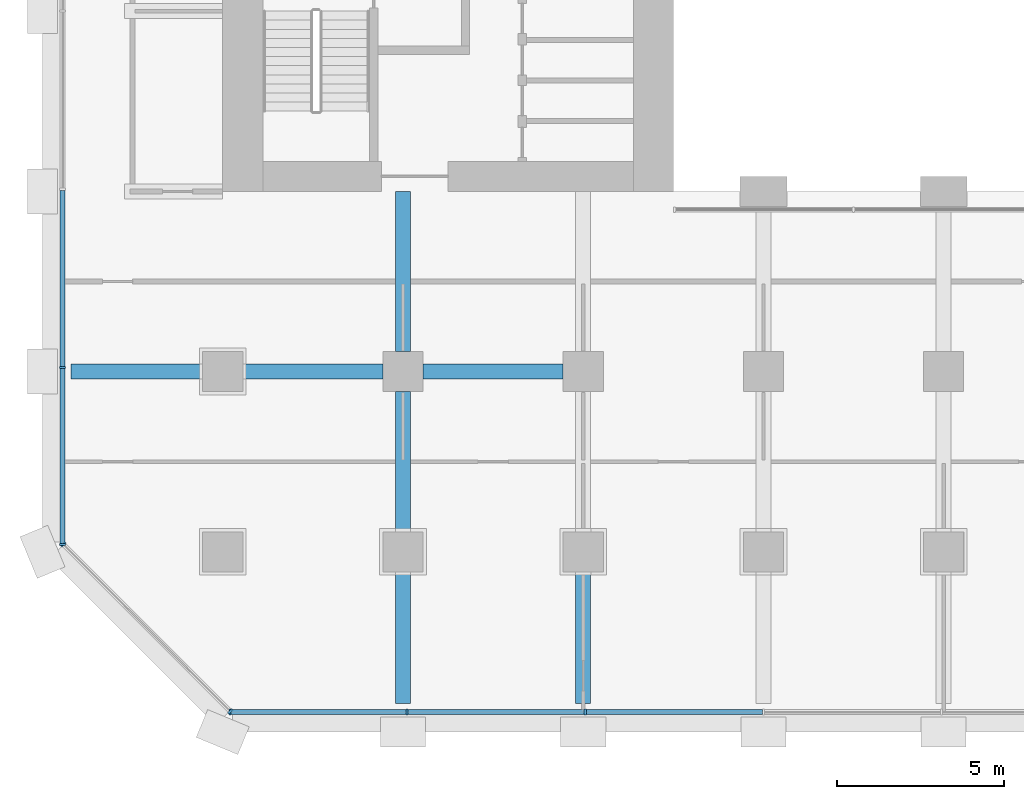
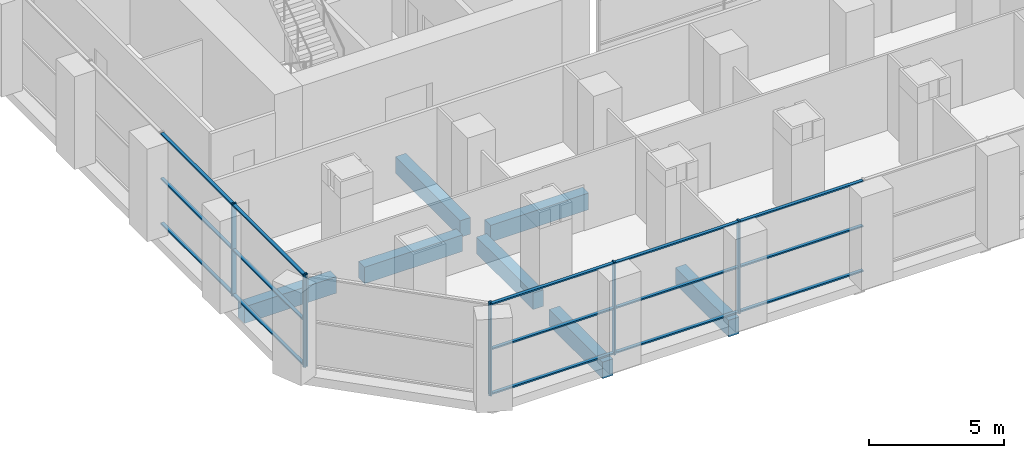
# One storey, part 2 of 23: 22 members, 7 beams, 3 elements without a shape of their own.
"""IFC4 building model written with IfcOpenShell, lengths in metres."""

from ifc_helpers import new_model, si_unit, direction, frame, origin, origin_2d, place, context, subcontext, project, spatial, rectangle, extrude, material, material_profile, profile_set, type_object, element, aggregate, save


model = new_model("IFC4")

# Units and contexts
model_context = context("Model", 3, precision=1e-05, world=origin(), true_north=direction((0.0, 1.0)))
body_context = subcontext(model_context, "Body", "Model", "MODEL_VIEW")
ifc_project = project(units=[si_unit("LENGTHUNIT", "METRE"), si_unit("AREAUNIT", "SQUARE_METRE"), si_unit("VOLUMEUNIT", "CUBIC_METRE"), si_unit("PLANEANGLEUNIT", "RADIAN"), si_unit("MASSUNIT", "GRAM", prefix="KILO")], contexts=[model_context])

# Site, building, storey
site_placement = place(None, origin())
site = spatial("IfcSite", under=ifc_project, at=site_placement, CompositionType="ELEMENT")
building_placement = place(site_placement, origin())
building = spatial("IfcBuilding", under=site, at=building_placement, Name="Tabaq Tower and Sports Hall", CompositionType="ELEMENT")
storey_placement = place(building_placement, frame((0.0, 0.0, 29.10009765625)))
storey = spatial("IfcBuildingStorey", under=building, at=storey_placement, Name="L05", CompositionType="ELEMENT", Elevation=29.10009765625)

# Curtain wall, members
ifc_material_1 = material(Name="Aluminium alloy 6063-T6 framed glazing", Category="aluminium")
curtain_wall_type = type_object("IfcCurtainWallType", Name="CW7 curtain wall", PredefinedType="USERDEFINED", material=ifc_material_1)
curtain_wall_1_placement = place(storey_placement, origin())
curtain_wall_1 = element("IfcCurtainWall", 1, at=curtain_wall_1_placement, inside=storey, type_object=curtain_wall_type, Name="Podium Wall L05 S", ObjectType="PODIUM WALL", PredefinedType="USERDEFINED")
ifc_material_2 = material(Name="Aluminium alloy 6063-T6", Category="aluminium")
ifc_material_profile_1 = material_profile(ifc_material_2, rectangle(XDim=0.179931640625, YDim=0.06494140625, at=origin_2d()), Name="MULLION 180x65")
ifc_profile_set_1 = profile_set([ifc_material_profile_1], Name="Aluminium alloy 6063-T6")
member_type_1 = type_object("IfcMemberType", Name="CW7 mullion 180x65", PredefinedType="MULLION", material=ifc_profile_set_1)
member_1_placement = place(storey_placement, frame((5.618896484375, 0.60009765625, 0.0), z_axis=(0.0, 0.0, 1.0), x_axis=(0.0, 1.0, 0.0)))
member_1 = element("IfcMember", 2, at=member_1_placement, type_object=member_type_1, Name="CW7 mullion 1", PredefinedType="MULLION", context=body_context, shape_type="SweptSolid", body=[
    extrude(rectangle(XDim=0.179931640625, YDim=0.06494140625, at=origin_2d()), origin(), (0.0, 0.0, 1.0), 4.199951171875),
])
member_2_placement = place(storey_placement, frame((10.92431640625, 0.60009765625, 0.0), z_axis=(0.0, 0.0, 1.0), x_axis=(0.0, 1.0, 0.0)))
member_2 = element("IfcMember", 3, at=member_2_placement, type_object=member_type_1, Name="CW7 mullion 2", PredefinedType="MULLION", context=body_context, shape_type="SweptSolid", body=[
    extrude(rectangle(XDim=0.179931640625, YDim=0.06494140625, at=origin_2d()), origin(), (0.0, 0.0, 1.0), 4.199951171875),
])
member_3_placement = place(storey_placement, frame((16.26220703125, 0.60009765625, 0.0), z_axis=(0.0, 0.0, 1.0), x_axis=(0.0, 1.0, 0.0)))
member_3 = element("IfcMember", 4, at=member_3_placement, type_object=member_type_1, Name="CW7 mullion 3", PredefinedType="MULLION", context=body_context, shape_type="SweptSolid", body=[
    extrude(rectangle(XDim=0.179931640625, YDim=0.06494140625, at=origin_2d()), origin(), (0.0, 0.0, 1.0), 4.199951171875),
])

curtain_wall_2_placement = place(storey_placement, origin())
curtain_wall_2 = element("IfcCurtainWall", 5, at=curtain_wall_2_placement, inside=storey, type_object=curtain_wall_type, Name="Podium Wall L05 W", ObjectType="PODIUM WALL", PredefinedType="USERDEFINED")
member_4_placement = place(storey_placement, frame((0.60009765625, 10.92431640625, 0.0), z_axis=(0.0, 0.0, 1.0), x_axis=(1.0, 0.0, 0.0)))
member_4 = element("IfcMember", 6, at=member_4_placement, type_object=member_type_1, Name="CW7 mullion 6", PredefinedType="MULLION", context=body_context, shape_type="SweptSolid", body=[
    extrude(rectangle(XDim=0.179931640625, YDim=0.06494140625, at=origin_2d()), origin(), (0.0, 0.0, 1.0), 4.199951171875),
])
member_5_placement = place(storey_placement, frame((0.60009765625, 5.618896484375, 0.0), z_axis=(0.0, 0.0, 1.0), x_axis=(1.0, 0.0, 0.0)))
member_5 = element("IfcMember", 7, at=member_5_placement, type_object=member_type_1, Name="CW7 mullion 7", PredefinedType="MULLION", context=body_context, shape_type="SweptSolid", body=[
    extrude(rectangle(XDim=0.179931640625, YDim=0.06494140625, at=origin_2d()), origin(), (0.0, 0.0, 1.0), 4.199951171875),
])

curtain_wall_3_placement = place(storey_placement, origin())
curtain_wall_3 = element("IfcCurtainWall", 8, at=curtain_wall_3_placement, inside=storey, type_object=curtain_wall_type, Name="Podium Wall L05 SW", ObjectType="PODIUM WALL", PredefinedType="USERDEFINED")
member_6_placement = place(storey_placement, frame((0.623046875, 5.62548828125, 0.0), z_axis=(0.0, 0.0, 1.0), x_axis=(0.707106781187, 0.707106781187, 0.0)))
member_6 = element("IfcMember", 9, at=member_6_placement, type_object=member_type_1, Name="CW7 mullion 1", PredefinedType="MULLION", context=body_context, shape_type="SweptSolid", body=[
    extrude(rectangle(XDim=0.179931640625, YDim=0.06494140625, at=origin_2d()), origin(), (0.0, 0.0, 1.0), 4.199951171875),
])
member_7_placement = place(storey_placement, frame((5.62548828125, 0.623046875, 0.0), z_axis=(0.0, 0.0, 1.0), x_axis=(0.707106781187, 0.707106781187, 0.0)))
member_7 = element("IfcMember", 10, at=member_7_placement, type_object=member_type_1, Name="CW7 mullion 2", PredefinedType="MULLION", context=body_context, shape_type="SweptSolid", body=[
    extrude(rectangle(XDim=0.179931640625, YDim=0.06494140625, at=origin_2d()), origin(), (0.0, 0.0, 1.0), 4.199951171875),
])
aggregate(curtain_wall_3, [member_6, member_7])

# Member
ifc_material_3 = material(Name="Aluminium alloy 6063-T6", Category="aluminium")
ifc_material_profile_2 = material_profile(ifc_material_3, rectangle(XDim=0.139892578125, YDim=0.06494140625, at=origin_2d()), Name="TRANSOM 140x65")
ifc_profile_set_2 = profile_set([ifc_material_profile_2], Name="Aluminium alloy 6063-T6")
member_type_2 = type_object("IfcMemberType", Name="CW7 transom 140x65", PredefinedType="USERDEFINED", material=ifc_profile_set_2)
member_8_placement = place(storey_placement, frame((5.6513671875, 0.60009765625, 0.06982421875), z_axis=(1.0, 0.0, 0.0), x_axis=(0.0, 1.0, 0.0)))
member_8 = element("IfcMember", 11, at=member_8_placement, type_object=member_type_2, Name="CW7 transom 1.1", ObjectType="TRANSOM", PredefinedType="USERDEFINED", context=body_context, shape_type="SweptSolid", body=[
    extrude(rectangle(XDim=0.139892578125, YDim=0.06494140625, at=origin_2d()), origin(), (0.0, 0.0, 1.0), 5.240478515625),
])

member_9_placement = place(storey_placement, frame((5.6513671875, 0.60009765625, 2.099853515625), z_axis=(1.0, 0.0, 0.0), x_axis=(0.0, 1.0, 0.0)))
member_9 = element("IfcMember", 12, at=member_9_placement, type_object=member_type_2, Name="CW7 transom 1.2", ObjectType="TRANSOM", PredefinedType="USERDEFINED", context=body_context, shape_type="SweptSolid", body=[
    extrude(rectangle(XDim=0.139892578125, YDim=0.06494140625, at=origin_2d()), origin(), (0.0, 0.0, 1.0), 5.240478515625),
])

member_10_placement = place(storey_placement, frame((5.6513671875, 0.60009765625, 4.1298828125), z_axis=(1.0, 0.0, 0.0), x_axis=(0.0, 1.0, 0.0)))
member_10 = element("IfcMember", 13, at=member_10_placement, type_object=member_type_2, Name="CW7 transom 1.3", ObjectType="TRANSOM", PredefinedType="USERDEFINED", context=body_context, shape_type="SweptSolid", body=[
    extrude(rectangle(XDim=0.139892578125, YDim=0.06494140625, at=origin_2d()), origin(), (0.0, 0.0, 1.0), 5.240478515625),
])

member_11_placement = place(storey_placement, frame((10.956787109375, 0.60009765625, 0.06982421875), z_axis=(1.0, 0.0, 0.0), x_axis=(0.0, 1.0, 0.0)))
member_11 = element("IfcMember", 14, at=member_11_placement, type_object=member_type_2, Name="CW7 transom 2.1", ObjectType="TRANSOM", PredefinedType="USERDEFINED", context=body_context, shape_type="SweptSolid", body=[
    extrude(rectangle(XDim=0.139892578125, YDim=0.06494140625, at=origin_2d()), origin(), (0.0, 0.0, 1.0), 5.27294921875),
])

member_12_placement = place(storey_placement, frame((10.956787109375, 0.60009765625, 2.099853515625), z_axis=(1.0, 0.0, 0.0), x_axis=(0.0, 1.0, 0.0)))
member_12 = element("IfcMember", 15, at=member_12_placement, type_object=member_type_2, Name="CW7 transom 2.2", ObjectType="TRANSOM", PredefinedType="USERDEFINED", context=body_context, shape_type="SweptSolid", body=[
    extrude(rectangle(XDim=0.139892578125, YDim=0.06494140625, at=origin_2d()), origin(), (0.0, 0.0, 1.0), 5.27294921875),
])

member_13_placement = place(storey_placement, frame((10.956787109375, 0.60009765625, 4.1298828125), z_axis=(1.0, 0.0, 0.0), x_axis=(0.0, 1.0, 0.0)))
member_13 = element("IfcMember", 16, at=member_13_placement, type_object=member_type_2, Name="CW7 transom 2.3", ObjectType="TRANSOM", PredefinedType="USERDEFINED", context=body_context, shape_type="SweptSolid", body=[
    extrude(rectangle(XDim=0.139892578125, YDim=0.06494140625, at=origin_2d()), origin(), (0.0, 0.0, 1.0), 5.27294921875),
])

member_14_placement = place(storey_placement, frame((16.294677734375, 0.60009765625, 0.06982421875), z_axis=(1.0, 0.0, 0.0), x_axis=(0.0, 1.0, 0.0)))
member_14 = element("IfcMember", 17, at=member_14_placement, type_object=member_type_2, Name="CW7 transom 3.1", ObjectType="TRANSOM", PredefinedType="USERDEFINED", context=body_context, shape_type="SweptSolid", body=[
    extrude(rectangle(XDim=0.139892578125, YDim=0.06494140625, at=origin_2d()), origin(), (0.0, 0.0, 1.0), 5.272705078125),
])

member_15_placement = place(storey_placement, frame((16.294677734375, 0.60009765625, 2.099853515625), z_axis=(1.0, 0.0, 0.0), x_axis=(0.0, 1.0, 0.0)))
member_15 = element("IfcMember", 18, at=member_15_placement, type_object=member_type_2, Name="CW7 transom 3.2", ObjectType="TRANSOM", PredefinedType="USERDEFINED", context=body_context, shape_type="SweptSolid", body=[
    extrude(rectangle(XDim=0.139892578125, YDim=0.06494140625, at=origin_2d()), origin(), (0.0, 0.0, 1.0), 5.272705078125),
])

member_16_placement = place(storey_placement, frame((16.294677734375, 0.60009765625, 4.1298828125), z_axis=(1.0, 0.0, 0.0), x_axis=(0.0, 1.0, 0.0)))
member_16 = element("IfcMember", 19, at=member_16_placement, type_object=member_type_2, Name="CW7 transom 3.3", ObjectType="TRANSOM", PredefinedType="USERDEFINED", context=body_context, shape_type="SweptSolid", body=[
    extrude(rectangle(XDim=0.139892578125, YDim=0.06494140625, at=origin_2d()), origin(), (0.0, 0.0, 1.0), 5.272705078125),
])

aggregate(curtain_wall_1, [member_1, member_2, member_3, member_8, member_9, member_10, member_11, member_12, member_13, member_14, member_15, member_16])

member_17_placement = place(storey_placement, frame((0.60009765625, 16.229736328125, 0.06982421875), z_axis=(0.0, -1.0, 0.0), x_axis=(1.0, 0.0, 0.0)))
member_17 = element("IfcMember", 20, at=member_17_placement, type_object=member_type_2, Name="CW7 transom 5.1", ObjectType="TRANSOM", PredefinedType="USERDEFINED", context=body_context, shape_type="SweptSolid", body=[
    extrude(rectangle(XDim=0.139892578125, YDim=0.06494140625, at=origin_2d()), origin(), (0.0, 0.0, 1.0), 5.27294921875),
])

member_18_placement = place(storey_placement, frame((0.60009765625, 16.229736328125, 2.099853515625), z_axis=(0.0, -1.0, 0.0), x_axis=(1.0, 0.0, 0.0)))
member_18 = element("IfcMember", 21, at=member_18_placement, type_object=member_type_2, Name="CW7 transom 5.2", ObjectType="TRANSOM", PredefinedType="USERDEFINED", context=body_context, shape_type="SweptSolid", body=[
    extrude(rectangle(XDim=0.139892578125, YDim=0.06494140625, at=origin_2d()), origin(), (0.0, 0.0, 1.0), 5.27294921875),
])

member_19_placement = place(storey_placement, frame((0.60009765625, 16.229736328125, 4.1298828125), z_axis=(0.0, -1.0, 0.0), x_axis=(1.0, 0.0, 0.0)))
member_19 = element("IfcMember", 22, at=member_19_placement, type_object=member_type_2, Name="CW7 transom 5.3", ObjectType="TRANSOM", PredefinedType="USERDEFINED", context=body_context, shape_type="SweptSolid", body=[
    extrude(rectangle(XDim=0.139892578125, YDim=0.06494140625, at=origin_2d()), origin(), (0.0, 0.0, 1.0), 5.27294921875),
])

member_20_placement = place(storey_placement, frame((0.60009765625, 10.891845703125, 0.06982421875), z_axis=(0.0, -1.0, 0.0), x_axis=(1.0, 0.0, 0.0)))
member_20 = element("IfcMember", 23, at=member_20_placement, type_object=member_type_2, Name="CW7 transom 6.1", ObjectType="TRANSOM", PredefinedType="USERDEFINED", context=body_context, shape_type="SweptSolid", body=[
    extrude(rectangle(XDim=0.139892578125, YDim=0.06494140625, at=origin_2d()), origin(), (0.0, 0.0, 1.0), 5.240478515625),
])

member_21_placement = place(storey_placement, frame((0.60009765625, 10.891845703125, 2.099853515625), z_axis=(0.0, -1.0, 0.0), x_axis=(1.0, 0.0, 0.0)))
member_21 = element("IfcMember", 24, at=member_21_placement, type_object=member_type_2, Name="CW7 transom 6.2", ObjectType="TRANSOM", PredefinedType="USERDEFINED", context=body_context, shape_type="SweptSolid", body=[
    extrude(rectangle(XDim=0.139892578125, YDim=0.06494140625, at=origin_2d()), origin(), (0.0, 0.0, 1.0), 5.240478515625),
])

member_22_placement = place(storey_placement, frame((0.60009765625, 10.891845703125, 4.1298828125), z_axis=(0.0, -1.0, 0.0), x_axis=(1.0, 0.0, 0.0)))
member_22 = element("IfcMember", 25, at=member_22_placement, type_object=member_type_2, Name="CW7 transom 6.3", ObjectType="TRANSOM", PredefinedType="USERDEFINED", context=body_context, shape_type="SweptSolid", body=[
    extrude(rectangle(XDim=0.139892578125, YDim=0.06494140625, at=origin_2d()), origin(), (0.0, 0.0, 1.0), 5.240478515625),
])

aggregate(curtain_wall_2, [member_4, member_5, member_17, member_18, member_19, member_20, member_21, member_22])

# Beams
ifc_material_4 = material(Name="Concrete C40/50", Category="concrete")
ifc_material_profile_3 = material_profile(ifc_material_4, rectangle(XDim=0.449951171875, YDim=0.75, at=origin_2d()), Name="CB 450x750")
ifc_profile_set_3 = profile_set([ifc_material_profile_3], Name="Concrete C40/50")
beam_type = type_object("IfcBeamType", Name="PT CANTILEVER BEAM CB 450x750 C40/50", PredefinedType="BEAM", material=ifc_profile_set_3)
beam_1_placement = place(storey_placement, frame((0.85009765625, 10.800048828125, -0.775146484375), z_axis=(1.0, 0.0, 0.0), x_axis=(0.0, 1.0, 0.0)))
element("IfcBeam", 26, at=beam_1_placement, inside=storey, type_object=beam_type, Name="Cantilever Beam L05 W2 span 1", PredefinedType="BEAM", context=body_context, shape_type="SweptSolid", body=[
    extrude(rectangle(XDim=0.449951171875, YDim=0.75, at=origin_2d()), origin(), (0.0, 0.0, 1.0), 3.949951171875),
])
beam_2_placement = place(storey_placement, frame((6.0, 10.800048828125, -0.775146484375), z_axis=(1.0, 0.0, 0.0), x_axis=(0.0, 1.0, 0.0)))
element("IfcBeam", 27, at=beam_2_placement, inside=storey, type_object=beam_type, Name="Cantilever Beam L05 W2 span 2", PredefinedType="BEAM", context=body_context, shape_type="SweptSolid", body=[
    extrude(rectangle(XDim=0.449951171875, YDim=0.75, at=origin_2d()), origin(), (0.0, 0.0, 1.0), 4.199951171875),
])
beam_3_placement = place(storey_placement, frame((11.39990234375, 10.800048828125, -0.775146484375), z_axis=(1.0, 0.0, 0.0), x_axis=(0.0, 1.0, 0.0)))
element("IfcBeam", 28, at=beam_3_placement, inside=storey, type_object=beam_type, Name="Cantilever Beam L05 W2 span 3", PredefinedType="BEAM", context=body_context, shape_type="SweptSolid", body=[
    extrude(rectangle(XDim=0.449951171875, YDim=0.75, at=origin_2d()), origin(), (0.0, 0.0, 1.0), 4.2001953125),
])
beam_4_placement = place(storey_placement, frame((10.800048828125, 0.85009765625, -0.775146484375), z_axis=(0.0, 1.0, 0.0), x_axis=(-1.0, 0.0, 0.0)))
element("IfcBeam", 29, at=beam_4_placement, inside=storey, type_object=beam_type, Name="Cantilever Beam L05 S2 span 1", PredefinedType="BEAM", context=body_context, shape_type="SweptSolid", body=[
    extrude(rectangle(XDim=0.449951171875, YDim=0.75, at=origin_2d()), origin(), (0.0, 0.0, 1.0), 3.949951171875),
])
beam_5_placement = place(storey_placement, frame((10.800048828125, 6.0, -0.775146484375), z_axis=(0.0, 1.0, 0.0), x_axis=(-1.0, 0.0, 0.0)))
element("IfcBeam", 30, at=beam_5_placement, inside=storey, type_object=beam_type, Name="Cantilever Beam L05 S2 span 2", PredefinedType="BEAM", context=body_context, shape_type="SweptSolid", body=[
    extrude(rectangle(XDim=0.449951171875, YDim=0.75, at=origin_2d()), origin(), (0.0, 0.0, 1.0), 4.199951171875),
])
beam_6_placement = place(storey_placement, frame((10.800048828125, 11.39990234375, -0.775146484375), z_axis=(0.0, 1.0, 0.0), x_axis=(-1.0, 0.0, 0.0)))
element("IfcBeam", 31, at=beam_6_placement, inside=storey, type_object=beam_type, Name="Cantilever Beam L05 S2 span 3", PredefinedType="BEAM", context=body_context, shape_type="SweptSolid", body=[
    extrude(rectangle(XDim=0.449951171875, YDim=0.75, at=origin_2d()), origin(), (0.0, 0.0, 1.0), 4.800048828125),
])
beam_7_placement = place(storey_placement, frame((16.199951171875, 0.85009765625, -0.775146484375), z_axis=(0.0, 1.0, 0.0), x_axis=(-1.0, 0.0, 0.0)))
element("IfcBeam", 32, at=beam_7_placement, inside=storey, type_object=beam_type, Name="Cantilever Beam L05 S3 span 1", PredefinedType="BEAM", context=body_context, shape_type="SweptSolid", body=[
    extrude(rectangle(XDim=0.449951171875, YDim=0.75, at=origin_2d()), origin(), (0.0, 0.0, 1.0), 3.949951171875),
])

save(model, "model.ifc")
